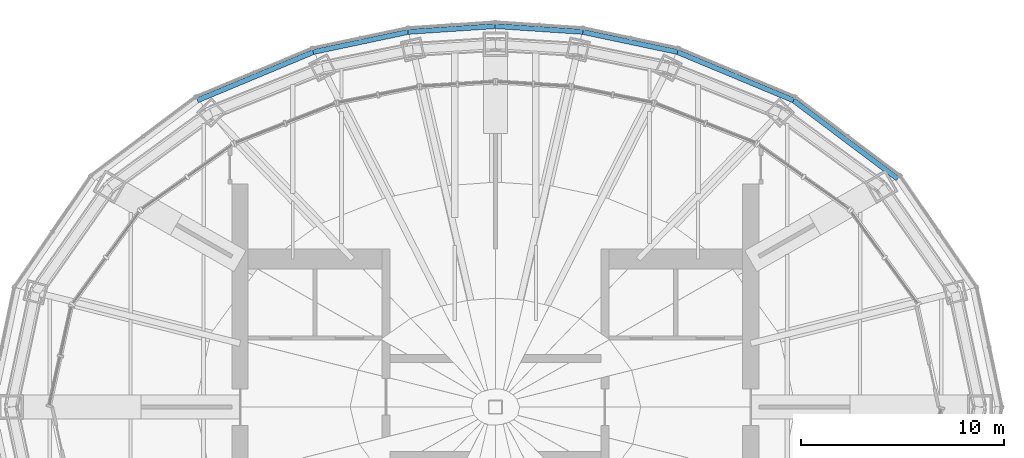
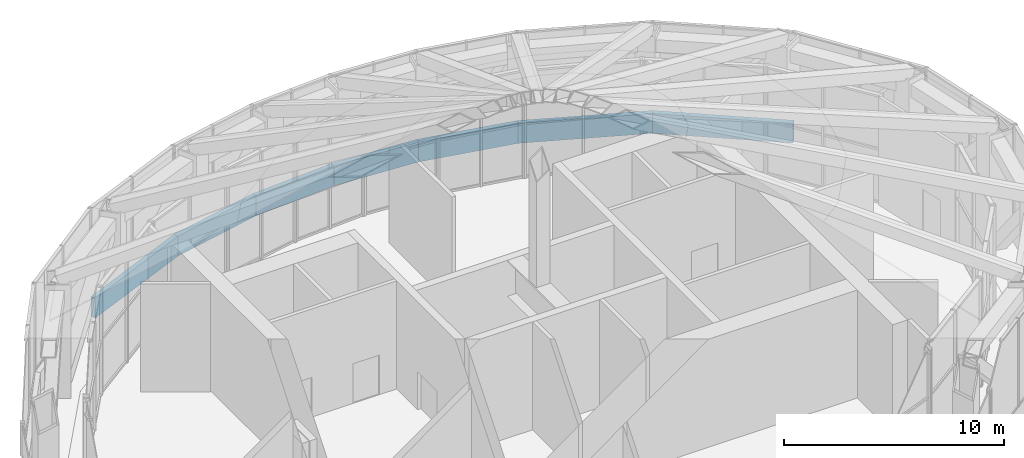
# One storey, part 20 of 21: 7 walls.
"""IFC4 building model written with IfcOpenShell, lengths in metres."""

from ifc_helpers import new_model, si_unit, direction, frame, frame_2d, origin, place, context, subcontext, project, spatial, rectangle, extrude, material, layer, layer_set, type_object, element, save


model = new_model("IFC4")

# Units and contexts
model_context = context("Model", 3, precision=1e-05, world=origin(), true_north=direction((0.0, 1.0)))
body_context = subcontext(model_context, "Body", "Model", "MODEL_VIEW")
ifc_project = project(units=[si_unit("LENGTHUNIT", "METRE"), si_unit("AREAUNIT", "SQUARE_METRE"), si_unit("VOLUMEUNIT", "CUBIC_METRE"), si_unit("PLANEANGLEUNIT", "RADIAN"), si_unit("MASSUNIT", "GRAM", prefix="KILO")], contexts=[model_context])

# Site, building, storey
site_placement = place(None, origin())
site = spatial("IfcSite", under=ifc_project, at=site_placement, CompositionType="ELEMENT")
building_placement = place(site_placement, origin())
building = spatial("IfcBuilding", under=site, at=building_placement, Name="Lantaw Convention Tower", CompositionType="ELEMENT")
storey_placement = place(building_placement, frame((0.0, 0.0, 290.39990234375)))
storey = spatial("IfcBuildingStorey", under=building, at=storey_placement, Name="L67", CompositionType="ELEMENT", Elevation=290.39990234375)

# Walls
ifc_material = material(Name="Concrete C35/45 with aluminium coping", Category="concrete")
ifc_layer = layer(ifc_material, 0.25)
ifc_layer_set = layer_set([ifc_layer], Name="Parapet 250")
wall_type = type_object("IfcWallType", Name="Parapet 250", PredefinedType="PARAPET", material=ifc_layer_set)
wall_1_placement = place(storey_placement, frame((19.8515625, 11.26611328125, 0.0), z_axis=(0.0, 0.0, 1.0), x_axis=(-0.799529087679, 0.600627370301, 0.0)))
element("IfcWall", 1, at=wall_1_placement, inside=storey, type_object=wall_type, Name="Ledge parapet", PredefinedType="PARAPET", context=body_context, shape_type="SweptSolid", body=[
    extrude(rectangle(XDim=6.4736328125, YDim=0.25, at=frame_2d((3.23681640625, 0.0))), origin(), (0.0, 0.0, 1.0), 1.10009765625),
])
wall_2_placement = place(storey_placement, frame((14.710205078125, 15.134765625, 0.0), z_axis=(0.0, 0.0, 1.0), x_axis=(-0.923135945789, 0.384473699481, 0.0)))
element("IfcWall", 2, at=wall_2_placement, inside=storey, type_object=wall_type, Name="Ledge parapet", PredefinedType="PARAPET", context=body_context, shape_type="SweptSolid", body=[
    extrude(rectangle(XDim=6.240234375, YDim=0.25, at=frame_2d((3.1201171875, 0.0))), origin(), (0.0, 0.0, 1.0), 1.10009765625),
])
wall_3_placement = place(storey_placement, frame((8.987548828125, 17.52197265625, 0.0), z_axis=(0.0, 0.0, 1.0), x_axis=(-0.978335298676, 0.207026673074, 0.0)))
element("IfcWall", 3, at=wall_3_placement, inside=storey, type_object=wall_type, Name="Ledge parapet", PredefinedType="PARAPET", context=body_context, shape_type="SweptSolid", body=[
    extrude(rectangle(XDim=4.818603515625, YDim=0.25, at=frame_2d((2.4091796875, 0.0))), origin(), (0.0, 0.0, 1.0), 1.10009765625),
])
for number, where, z_axis, x_axis, name in (
    (4, (4.31298828125, 18.51416015625, 0.0), (0.0, 0.0, 1.0), (-0.997819354924, 0.066004052439, 0.0), "Ledge parapet"),
    (5, (0.02001953125, 18.80078125, 0.0), (0.0, 0.0, 1.0), (-0.997819354924, -0.066004052439, 0.0), "Ledge parapet"),
):
    element("IfcWall", number, at=place(storey_placement, frame(where, z_axis=z_axis, x_axis=x_axis)), inside=storey, type_object=wall_type, Name=name, PredefinedType="PARAPET", context=body_context, shape_type="SweptSolid", body=[
        extrude(rectangle(XDim=4.342529296875, YDim=0.25, at=frame_2d((2.17138671875, 0.0))), origin(), (0.0, 0.0, 1.0), 1.10009765625),
    ])
wall_4_placement = place(storey_placement, frame((-4.2734375, 18.51953125, 0.0), z_axis=(0.0, 0.0, 1.0), x_axis=(-0.978335298676, -0.207026673074, 0.0)))
element("IfcWall", 6, at=wall_4_placement, inside=storey, type_object=wall_type, Name="Ledge parapet", PredefinedType="PARAPET", context=body_context, shape_type="SweptSolid", body=[
    extrude(rectangle(XDim=4.818603515625, YDim=0.25, at=frame_2d((2.4091796875, 0.0))), origin(), (0.0, 0.0, 1.0), 1.10009765625),
])
wall_5_placement = place(storey_placement, frame((-8.94970703125, 17.533935546875, 0.0), z_axis=(0.0, 0.0, 1.0), x_axis=(-0.923135945789, -0.384473699481, 0.0)))
element("IfcWall", 7, at=wall_5_placement, inside=storey, type_object=wall_type, Name="Ledge parapet", PredefinedType="PARAPET", context=body_context, shape_type="SweptSolid", body=[
    extrude(rectangle(XDim=6.240234375, YDim=0.25, at=frame_2d((3.1201171875, 0.0))), origin(), (0.0, 0.0, 1.0), 1.10009765625),
])

save(model, "model.ifc")
